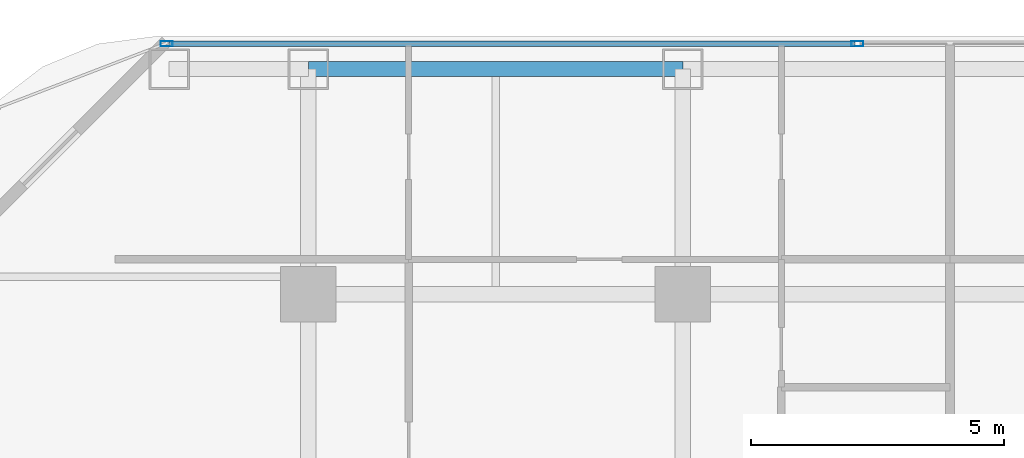
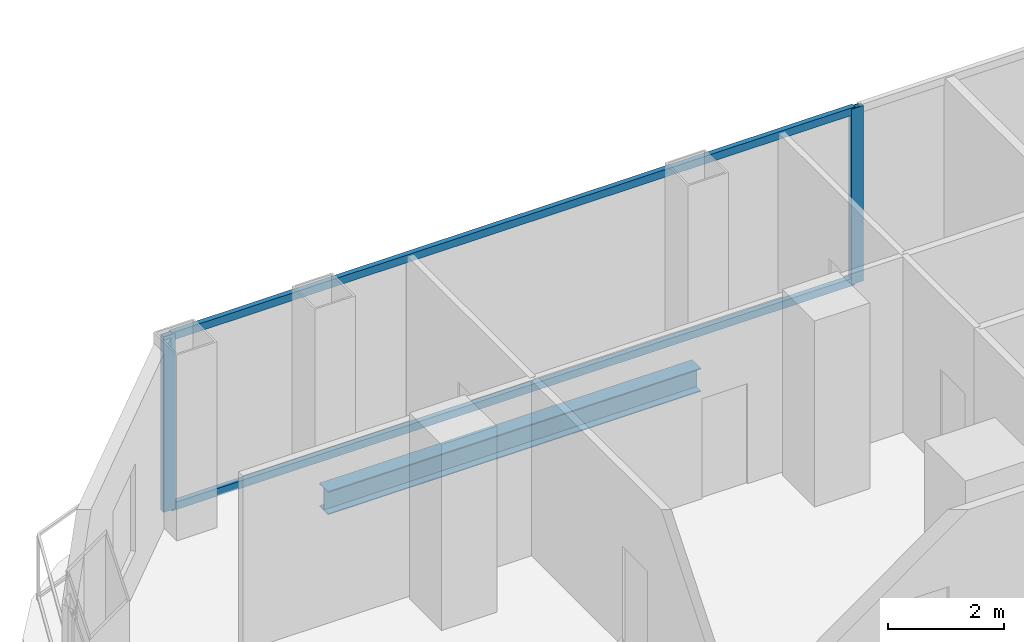
# One storey, part 15 of 30: 4 members, 1 beam, 1 element without a shape of its own.
"""IFC4 building model written with IfcOpenShell, lengths in metres."""

import ifcopenshell
import ifcopenshell.guid

model = None  # the IFC model being written
_history = None  # IfcOwnerHistory: only IFC2X3 demands one
_inside = {}  # id of a spatial element -> (the spatial element, [elements in it])
_under = {}  # id of a project, library or spatial element -> (it, [spatial elements below it])
_declared = {}  # id of a project -> (the project, [libraries it declares])
_typed = {}  # id of a type object -> (the type object, [elements of that type])
_made_of = {}  # id of a material, layer set ... -> (it, [elements and type objects made of it])


def new_model(schema):
    """Start an empty IFC model of exactly this schema.

    Asked for "IFC4X3", IfcOpenShell would pick the latest addendum, in which some entities
    have other attributes; the version numbers below select the first issue.
    IFC2X3 requires an IfcOwnerHistory on every rooted entity: one is made here for all.
    """
    global model, _history
    if schema == "IFC4X3":
        model = ifcopenshell.file(schema_version=(4, 3, 0, 0))
    else:
        model = ifcopenshell.file(schema=schema)
    _inside.clear()
    _under.clear()
    _declared.clear()
    _typed.clear()
    _made_of.clear()
    _history = None
    if model.schema == "IFC2X3":
        org = make("IfcOrganization", Name="unknown")
        user = make(
            "IfcPersonAndOrganization",
            ThePerson=make("IfcPerson", FamilyName="unknown"),
            TheOrganization=org,
        )
        app = make(
            "IfcApplication",
            ApplicationDeveloper=org,
            Version="unknown",
            ApplicationFullName="unknown",
            ApplicationIdentifier="unknown",
        )
        _history = make(
            "IfcOwnerHistory",
            OwningUser=user,
            OwningApplication=app,
            ChangeAction="ADDED",
            CreationDate=0,
        )
    return model


def make(cls, **values):
    """One entity of the class cls with the attributes given. An attribute that is None is left unset."""
    return model.create_entity(
        cls, **{name: value for name, value in values.items() if value is not None}
    )


def rooted(cls, **values):
    """An entity with a GlobalId (a new one), such as an element, a storey or a relation."""
    return make(cls, GlobalId=ifcopenshell.guid.new(), OwnerHistory=_history, **values)


def si_unit(unit_type, name, prefix=None):
    """IfcSIUnit, for example si_unit("LENGTHUNIT", "METRE", prefix="MILLI")."""
    return make("IfcSIUnit", UnitType=unit_type, Prefix=prefix, Name=name)


def assignment(units):
    """IfcUnitAssignment: the units of a project."""
    return None if units is None else make("IfcUnitAssignment", Units=units)


def point(xyz):
    """IfcCartesianPoint."""
    return None if xyz is None else make("IfcCartesianPoint", Coordinates=xyz)


def direction(xyz):
    """IfcDirection."""
    return None if xyz is None else make("IfcDirection", DirectionRatios=xyz)


def frame(location, z_axis=None, x_axis=None):
    """IfcAxis2Placement3D, a coordinate frame: its origin and axes. An axis left out is left unset."""
    return make(
        "IfcAxis2Placement3D",
        Location=point(location),
        Axis=direction(z_axis),
        RefDirection=direction(x_axis),
    )


def frame_2d(location, x_axis=None):
    """IfcAxis2Placement2D, a coordinate frame in the plane: its origin and x axis."""
    return make(
        "IfcAxis2Placement2D", Location=point(location), RefDirection=direction(x_axis)
    )


def origin():
    """The frame at (0, 0, 0) with its axes left unset."""
    return frame((0.0, 0.0, 0.0))


def origin_2d():
    """The frame at (0, 0) in the plane with its x axis left unset."""
    return frame_2d((0.0, 0.0))


def place(relative_to, where):
    """IfcLocalPlacement: puts the frame where relative to a parent placement (None: the world)."""
    return make(
        "IfcLocalPlacement", PlacementRelTo=relative_to, RelativePlacement=where
    )


def context(
    kind, dimensions, precision=None, world=None, true_north=None, identifier=None
):
    """IfcGeometricRepresentationContext, for example the 3D "Model" context."""
    return make(
        "IfcGeometricRepresentationContext",
        ContextIdentifier=identifier,
        ContextType=kind,
        CoordinateSpaceDimension=dimensions,
        Precision=precision,
        WorldCoordinateSystem=world,
        TrueNorth=true_north,
    )


def subcontext(parent, identifier, kind, view, scale=None):
    """IfcGeometricRepresentationSubContext, for example "Body" below "Model"."""
    return make(
        "IfcGeometricRepresentationSubContext",
        ContextIdentifier=identifier,
        ContextType=kind,
        ParentContext=parent,
        TargetScale=scale,
        TargetView=view,
    )


def project(units=None, contexts=None):
    """IfcProject with its units and contexts."""
    return rooted(
        "IfcProject",
        Name="project",
        RepresentationContexts=contexts,
        UnitsInContext=assignment(units),
    )


def spatial(cls, under=None, at=None, **own):
    """A site, building, storey or space (cls), placed at a placement, below another one or the project."""
    s = rooted(cls, ObjectPlacement=at, **own)
    if under is not None:
        _under.setdefault(under.id(), (under, []))[1].append(s)
    return s


def profile(cls, at=None, kind="AREA", **sizes):
    """A parametric profile (cls). Its sizes go by their IFC names, for example OverallWidth=200.0."""
    return make(cls, ProfileType=kind, Position=at, **sizes)


def hollow_rectangle(**sizes):
    """IfcRectangleHollowProfileDef."""
    return profile("IfcRectangleHollowProfileDef", **sizes)


def i_section(**sizes):
    """IfcIShapeProfileDef."""
    return profile("IfcIShapeProfileDef", **sizes)


def extrude(swept, where, along, depth):
    """IfcExtrudedAreaSolid: the profile swept, set in the frame where, extruded along a direction by depth."""
    return make(
        "IfcExtrudedAreaSolid",
        SweptArea=swept,
        Position=where,
        ExtrudedDirection=direction(along),
        Depth=depth,
    )


def shape(context_of_items, identifier, shape_type, items):
    """IfcShapeRepresentation: the items that make up one representation, for example the "Body"."""
    return make(
        "IfcShapeRepresentation",
        ContextOfItems=context_of_items,
        RepresentationIdentifier=identifier,
        RepresentationType=shape_type,
        Items=items,
    )


def material(Name=None, Category=None):
    """IfcMaterial."""
    return make("IfcMaterial", Name=Name, Category=Category)


def layer(
    of_material, thickness, ventilated=None, Name=None, Category=None, Priority=None
):
    """IfcMaterialLayer: one layer of a wall or slab, of a material (None: an air gap)."""
    return make(
        "IfcMaterialLayer",
        Material=of_material,
        LayerThickness=thickness,
        IsVentilated=ventilated,
        Name=Name,
        Category=Category,
        Priority=Priority,
    )


def layer_set(layers, Name=None):
    """IfcMaterialLayerSet."""
    return make("IfcMaterialLayerSet", MaterialLayers=layers, LayerSetName=Name)


def material_profile(
    of_material, cross_section, Name=None, Category=None, Priority=None
):
    """IfcMaterialProfile: a cross section and its material."""
    return make(
        "IfcMaterialProfile",
        Name=Name,
        Material=of_material,
        Profile=cross_section,
        Priority=Priority,
        Category=Category,
    )


def profile_set(profiles, Name=None, composite=None):
    """IfcMaterialProfileSet."""
    return make(
        "IfcMaterialProfileSet",
        Name=Name,
        MaterialProfiles=profiles,
        CompositeProfile=composite,
    )


def made_of(thing, what):
    """Note that an element or type object is made of a material, layer set ...; save() writes the relation."""
    if what is not None:
        _made_of.setdefault(what.id(), (what, []))[1].append(thing)
    return thing


def type_object(cls, material=None, **own):
    """A type object (cls), such as IfcWallType, which elements share."""
    return made_of(rooted(cls, **own), material)


def element(
    cls,
    number,
    at=None,
    inside=None,
    cuts=None,
    type_object=None,
    material=None,
    context=None,
    identifier="Body",
    shape_type=None,
    held_by="IfcProductDefinitionShape",
    body=None,
    shapes=None,
    **own,
):
    """One element of the class cls, such as IfcWall. Its Tag is "e" and its number.

    at: its placement. inside: the storey or other place that contains it. cuts: it is an
    opening in that element (IfcRelVoidsElement). A single representation is given by context,
    identifier, shape_type and body (its items); several are given by shapes. held_by: the class
    of the entity that holds the representations. save() writes the other relations.
    """
    e = rooted(cls, Tag="e%d" % number, ObjectPlacement=at, **own)
    if body is not None:
        shapes = [shape(context, identifier, shape_type, body)]
    if shapes is not None:
        e.Representation = make(held_by, Representations=shapes)
    if inside is not None:
        _inside.setdefault(inside.id(), (inside, []))[1].append(e)
    if cuts is not None:
        rooted(
            "IfcRelVoidsElement", RelatingBuildingElement=cuts, RelatedOpeningElement=e
        )
    if type_object is not None:
        _typed.setdefault(type_object.id(), (type_object, []))[1].append(e)
    return made_of(e, material)


def aggregate(whole, parts):
    """IfcRelAggregates: a whole, such as a stair, and the parts it consists of."""
    return rooted("IfcRelAggregates", RelatingObject=whole, RelatedObjects=parts)


def save(model, path):
    """Write the relations noted so far, then the file.

    IfcRelAggregates (storeys below a building ...), IfcRelContainedInSpatialStructure (elements
    in a storey), IfcRelDefinesByType, IfcRelAssociatesMaterial and IfcRelDeclares: one each for
    every whole, place, type object, material and project.
    """
    for whole, parts in _under.values():
        aggregate(whole, parts)
    for where, things in _inside.values():
        rooted(
            "IfcRelContainedInSpatialStructure",
            RelatedElements=things,
            RelatingStructure=where,
        )
    for kind, things in _typed.values():
        rooted("IfcRelDefinesByType", RelatedObjects=things, RelatingType=kind)
    for what, things in _made_of.values():
        rooted("IfcRelAssociatesMaterial", RelatedObjects=things, RelatingMaterial=what)
    for by, libraries in _declared.values():
        rooted("IfcRelDeclares", RelatingContext=by, RelatedDefinitions=libraries)
    model.write(path)


model = new_model("IFC4")

# Units and contexts
model_context = context("Model", 3, precision=1e-05, world=origin(), true_north=direction((0.0, 1.0)))
body_context = subcontext(model_context, "Body", "Model", "MODEL_VIEW")
ifc_project = project(units=[si_unit("LENGTHUNIT", "METRE"), si_unit("AREAUNIT", "SQUARE_METRE"), si_unit("VOLUMEUNIT", "CUBIC_METRE"), si_unit("PLANEANGLEUNIT", "RADIAN"), si_unit("MASSUNIT", "GRAM", prefix="KILO")], contexts=[model_context])

# Site, building, storey
site_placement = place(None, origin())
site = spatial("IfcSite", under=ifc_project, at=site_placement, CompositionType="ELEMENT")
building_placement = place(site_placement, origin())
building = spatial("IfcBuilding", under=site, at=building_placement, Name="Khorvyn Point Tower", CompositionType="ELEMENT")
storey_placement = place(building_placement, frame((0.0, 0.0, 30.60009765625)))
storey = spatial("IfcBuildingStorey", under=building, at=storey_placement, Name="L08", CompositionType="ELEMENT", Elevation=30.60009765625)

# Curtain wall, members
ifc_material_1 = material(Name="Anodised aluminium 6063-T6 and laminated Low-E glass", Category="aluminium")
ifc_layer = layer(ifc_material_1, 0.18994140625)
ifc_layer_set = layer_set([ifc_layer], Name="Stick-Built Finned Residential Curtain Wall CW-SYS-02")
curtain_wall_type = type_object("IfcCurtainWallType", Name="Stick-Built Finned Residential Curtain Wall CW-SYS-02", PredefinedType="NOTDEFINED", material=ifc_layer_set)
curtain_wall_placement = place(storey_placement, origin())
curtain_wall = element("IfcCurtainWall", 1, at=curtain_wall_placement, inside=storey, type_object=curtain_wall_type, Name="Curtain Wall", PredefinedType="NOTDEFINED")
ifc_material_2 = material(Name="Anodised aluminium 6063-T6", Category="aluminium")
ifc_material_profile_1 = material_profile(ifc_material_2, hollow_rectangle(XDim=0.10009765625, YDim=0.239990234375, WallThickness=0.0048828125, at=origin_2d()))
ifc_profile_set_1 = profile_set([ifc_material_profile_1], Name="Anodised aluminium 6063-T6 ALU-MUL-100x240")
member_type_1 = type_object("IfcMemberType", Name="Anodised Aluminium 6063-T6 Mullion ALU-MUL-100x240", PredefinedType="MULLION", material=ifc_profile_set_1)
member_1_placement = place(storey_placement, frame((-17.60009765625, 25.050048828125, 0.0), z_axis=(0.0, 0.0, 1.0), x_axis=(0.0, 1.0, 0.0)))
member_1 = element("IfcMember", 2, at=member_1_placement, type_object=member_type_1, Name="Transom", PredefinedType="MULLION", context=body_context, shape_type="SweptSolid", body=[
    extrude(hollow_rectangle(XDim=0.10009765625, YDim=0.239990234375, WallThickness=0.0048828125, at=origin_2d()), origin(), (0.0, 0.0, 1.0), 3.679931640625),
])
member_2_placement = place(storey_placement, frame((-3.949951171875, 25.050048828125, 0.0), z_axis=(0.0, 0.0, 1.0), x_axis=(0.0, 1.0, 0.0)))
member_2 = element("IfcMember", 3, at=member_2_placement, type_object=member_type_1, Name="Transom", PredefinedType="MULLION", context=body_context, shape_type="SweptSolid", body=[
    extrude(hollow_rectangle(XDim=0.10009765625, YDim=0.239990234375, WallThickness=0.0048828125, at=origin_2d()), origin(), (0.0, 0.0, 1.0), 3.679931640625),
])
ifc_material_profile_2 = material_profile(ifc_material_2, hollow_rectangle(XDim=0.10009765625, YDim=0.159912109375, WallThickness=0.00439453125, at=origin_2d()))
ifc_profile_set_2 = profile_set([ifc_material_profile_2], Name="Anodised aluminium 6063-T6 ALU-TRN-100x160")
member_type_2 = type_object("IfcMemberType", Name="Anodised Aluminium 6063-T6 Transom ALU-TRN-100x160", PredefinedType="USERDEFINED", material=ifc_profile_set_2)
member_3_placement = place(storey_placement, frame((-17.550048828125, 25.050048828125, 0.0498046875), z_axis=(1.0, 0.0, 0.0), x_axis=(0.0, 1.0, 0.0)))
member_3 = element("IfcMember", 4, at=member_3_placement, type_object=member_type_2, Name="Transom", ObjectType="TRANSOM", PredefinedType="USERDEFINED", context=body_context, shape_type="SweptSolid", body=[
    extrude(hollow_rectangle(XDim=0.10009765625, YDim=0.159912109375, WallThickness=0.00439453125, at=origin_2d()), origin(), (0.0, 0.0, 1.0), 13.550048828125),
])
member_4_placement = place(storey_placement, frame((-17.550048828125, 25.050048828125, 3.6298828125), z_axis=(1.0, 0.0, 0.0), x_axis=(0.0, 1.0, 0.0)))
member_4 = element("IfcMember", 5, at=member_4_placement, type_object=member_type_2, Name="Transom", ObjectType="TRANSOM", PredefinedType="USERDEFINED", context=body_context, shape_type="SweptSolid", body=[
    extrude(hollow_rectangle(XDim=0.10009765625, YDim=0.159912109375, WallThickness=0.00439453125, at=origin_2d()), origin(), (0.0, 0.0, 1.0), 13.550048828125),
])
aggregate(curtain_wall, [member_1, member_2, member_3, member_4])

# Beam
ifc_material_3 = material(Name="Steel S355", Category="steel")
ifc_material_profile_3 = material_profile(ifc_material_3, i_section(OverallWidth=0.300048828125, OverallDepth=0.488037109375, WebThickness=0.010986328125, FlangeThickness=0.01806640625, at=origin_2d()))
ifc_profile_set_3 = profile_set([ifc_material_profile_3], Name="Steel S355 H488x300x11x18")
beam_type = type_object("IfcBeamType", Name="Steel S355 Spandrel H488x300x11x18", PredefinedType="SPANDREL", material=ifc_profile_set_3)
beam_placement = place(storey_placement, frame((-14.800048828125, 24.550048828125, -0.464111328125), z_axis=(1.0, 0.0, 0.0), x_axis=(0.0, 1.0, 0.0)))
element("IfcBeam", 6, at=beam_placement, inside=storey, type_object=beam_type, Name="Beam", PredefinedType="SPANDREL", context=body_context, shape_type="SweptSolid", body=[
    extrude(i_section(OverallWidth=0.300048828125, OverallDepth=0.488037109375, WebThickness=0.010986328125, FlangeThickness=0.01806640625, at=origin_2d()), origin(), (0.0, 0.0, 1.0), 7.400146484375),
])

save(model, "model.ifc")
